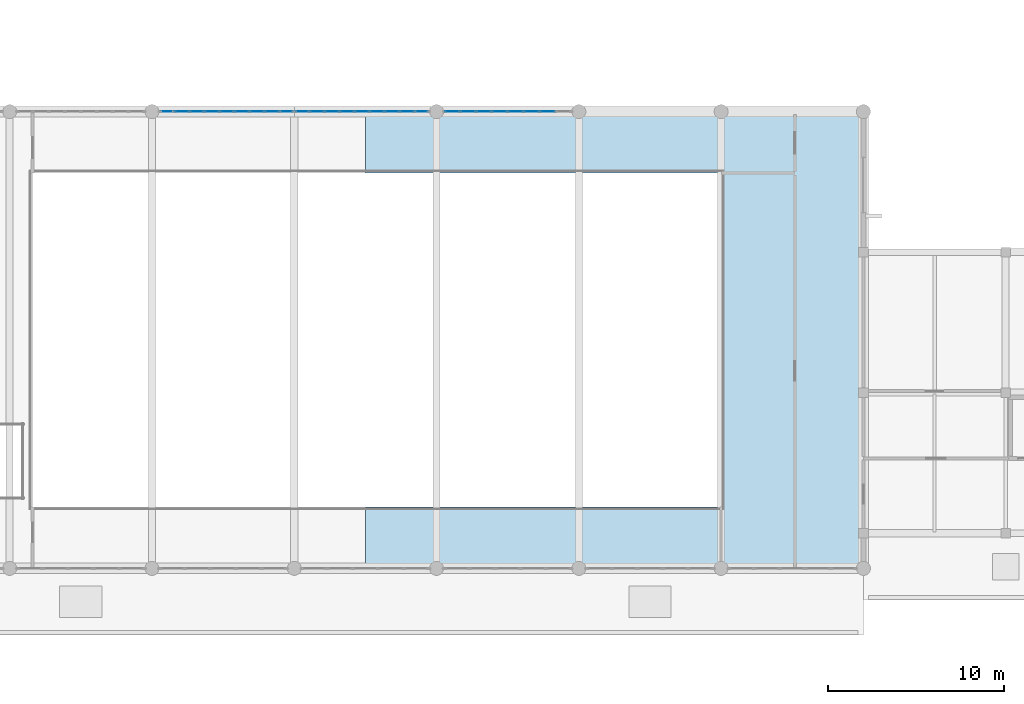
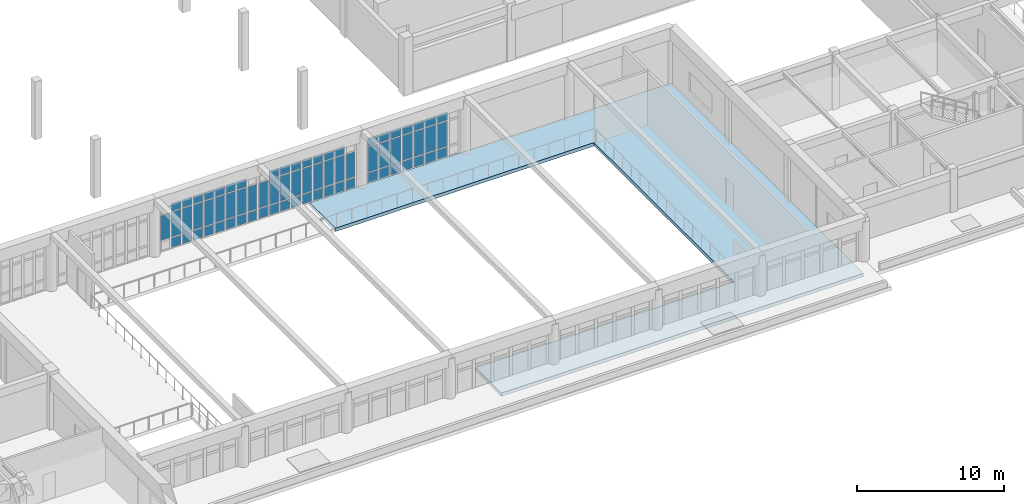
# One storey, part 32 of 61: 70 plates, 1 slab, 3 elements without a shape of their own.
"""IFC4 building model written with IfcOpenShell, lengths in metres."""

from ifc_helpers import new_model, si_unit, direction, frame, origin, origin_2d, place, context, subcontext, project, spatial, polyline, rectangle, outline, extrude, material, layer, layer_set, type_object, element, aggregate, save


model = new_model("IFC4")

# Units and contexts
model_context = context("Model", 3, precision=1e-05, world=origin(), true_north=direction((0.0, 1.0)))
body_context = subcontext(model_context, "Body", "Model", "MODEL_VIEW")
ifc_project = project(units=[si_unit("LENGTHUNIT", "METRE"), si_unit("AREAUNIT", "SQUARE_METRE"), si_unit("VOLUMEUNIT", "CUBIC_METRE"), si_unit("PLANEANGLEUNIT", "RADIAN"), si_unit("MASSUNIT", "GRAM", prefix="KILO")], contexts=[model_context])

# Site, building, storey
site_placement = place(None, origin())
site = spatial("IfcSite", under=ifc_project, at=site_placement, CompositionType="ELEMENT")
building_placement = place(site_placement, origin())
building = spatial("IfcBuilding", under=site, at=building_placement, Name="Tarnveldt Square Police Headquarters", CompositionType="ELEMENT")
storey_placement = place(building_placement, frame((0.0, 0.0, 5.39990234375)))
storey = spatial("IfcBuildingStorey", under=building, at=storey_placement, Name="L01", CompositionType="ELEMENT", Elevation=5.39990234375)

# Curtain wall, plates
ifc_material_1 = material(Name="Triple-glazed low-e laminated vision glass", Category="glass")
curtain_wall_type_1 = type_object("IfcCurtainWallType", Name="CW-CT-768x379", PredefinedType="USERDEFINED", material=ifc_material_1)
curtain_wall_1_placement = place(storey_placement, origin())
curtain_wall_1 = element("IfcCurtainWall", 1, at=curtain_wall_1_placement, inside=storey, type_object=curtain_wall_type_1, Name="L01 Curtain Wall CW-L01-020", ObjectType="GLAZED CURTAIN WALL", PredefinedType="USERDEFINED")
ifc_layer_1 = layer(ifc_material_1, 0.028076171875)
ifc_layer_set_1 = layer_set([ifc_layer_1], Name="Triple-glazed low-e laminated vision glass")
plate_type = type_object("IfcPlateType", Name="CWP-VIS-28", PredefinedType="CURTAIN_PANEL", material=ifc_layer_set_1)
plate_1_placement = place(storey_placement, frame((81.860595703125, 48.0, 0.937744140625), z_axis=(0.0, 0.0, 1.0), x_axis=(1.0, 0.0, 0.0)))
plate_1 = element("IfcPlate", 2, at=plate_1_placement, type_object=plate_type, Name="CW-CT10 panel 1.2", PredefinedType="CURTAIN_PANEL", context=body_context, shape_type="SweptSolid", body=[
    extrude(rectangle(XDim=0.741455078125, YDim=0.028076171875, at=origin_2d()), origin(), (0.0, 0.0, 1.0), 2.06689453125),
])
plate_2_placement = place(storey_placement, frame((82.69580078125, 48.0, 0.074951171875), z_axis=(0.0, 0.0, 1.0), x_axis=(1.0, 0.0, 0.0)))
plate_2 = element("IfcPlate", 3, at=plate_2_placement, type_object=plate_type, Name="CW-CT10 panel 2.1", PredefinedType="CURTAIN_PANEL", context=body_context, shape_type="SweptSolid", body=[
    extrude(rectangle(XDim=0.77880859375, YDim=0.028076171875, at=origin_2d()), origin(), (0.0, 0.0, 1.0), 0.78759765625),
])
plate_3_placement = place(storey_placement, frame((82.69580078125, 48.0, 0.937744140625), z_axis=(0.0, 0.0, 1.0), x_axis=(1.0, 0.0, 0.0)))
plate_3 = element("IfcPlate", 4, at=plate_3_placement, type_object=plate_type, Name="CW-CT10 panel 2.2", PredefinedType="CURTAIN_PANEL", context=body_context, shape_type="SweptSolid", body=[
    extrude(rectangle(XDim=0.77880859375, YDim=0.028076171875, at=origin_2d()), origin(), (0.0, 0.0, 1.0), 2.06689453125),
])
plate_4_placement = place(storey_placement, frame((82.69580078125, 48.0, 3.07958984375), z_axis=(0.0, 0.0, 1.0), x_axis=(1.0, 0.0, 0.0)))
plate_4 = element("IfcPlate", 5, at=plate_4_placement, type_object=plate_type, Name="CW-CT10 panel 2.3", PredefinedType="CURTAIN_PANEL", context=body_context, shape_type="SweptSolid", body=[
    extrude(rectangle(XDim=0.77880859375, YDim=0.028076171875, at=origin_2d()), origin(), (0.0, 0.0, 1.0), 0.637451171875),
])
plate_5_placement = place(storey_placement, frame((83.5498046875, 48.0, 0.074951171875), z_axis=(0.0, 0.0, 1.0), x_axis=(1.0, 0.0, 0.0)))
plate_5 = element("IfcPlate", 6, at=plate_5_placement, type_object=plate_type, Name="CW-CT10 panel 3.1", PredefinedType="CURTAIN_PANEL", context=body_context, shape_type="SweptSolid", body=[
    extrude(rectangle(XDim=0.77880859375, YDim=0.028076171875, at=origin_2d()), origin(), (0.0, 0.0, 1.0), 0.78759765625),
])
plate_6_placement = place(storey_placement, frame((83.5498046875, 48.0, 0.937744140625), z_axis=(0.0, 0.0, 1.0), x_axis=(1.0, 0.0, 0.0)))
plate_6 = element("IfcPlate", 7, at=plate_6_placement, type_object=plate_type, Name="CW-CT10 panel 3.2", PredefinedType="CURTAIN_PANEL", context=body_context, shape_type="SweptSolid", body=[
    extrude(rectangle(XDim=0.77880859375, YDim=0.028076171875, at=origin_2d()), origin(), (0.0, 0.0, 1.0), 2.06689453125),
])
plate_7_placement = place(storey_placement, frame((83.5498046875, 48.0, 3.07958984375), z_axis=(0.0, 0.0, 1.0), x_axis=(1.0, 0.0, 0.0)))
plate_7 = element("IfcPlate", 8, at=plate_7_placement, type_object=plate_type, Name="CW-CT10 panel 3.3", PredefinedType="CURTAIN_PANEL", context=body_context, shape_type="SweptSolid", body=[
    extrude(rectangle(XDim=0.77880859375, YDim=0.028076171875, at=origin_2d()), origin(), (0.0, 0.0, 1.0), 0.637451171875),
])
plate_8_placement = place(storey_placement, frame((84.403564453125, 48.0, 0.074951171875), z_axis=(0.0, 0.0, 1.0), x_axis=(1.0, 0.0, 0.0)))
plate_8 = element("IfcPlate", 9, at=plate_8_placement, type_object=plate_type, Name="CW-CT10 panel 4.1", PredefinedType="CURTAIN_PANEL", context=body_context, shape_type="SweptSolid", body=[
    extrude(rectangle(XDim=0.77880859375, YDim=0.028076171875, at=origin_2d()), origin(), (0.0, 0.0, 1.0), 0.78759765625),
])
plate_9_placement = place(storey_placement, frame((84.403564453125, 48.0, 0.937744140625), z_axis=(0.0, 0.0, 1.0), x_axis=(1.0, 0.0, 0.0)))
plate_9 = element("IfcPlate", 10, at=plate_9_placement, type_object=plate_type, Name="CW-CT10 panel 4.2", PredefinedType="CURTAIN_PANEL", context=body_context, shape_type="SweptSolid", body=[
    extrude(rectangle(XDim=0.77880859375, YDim=0.028076171875, at=origin_2d()), origin(), (0.0, 0.0, 1.0), 2.06689453125),
])
plate_10_placement = place(storey_placement, frame((84.403564453125, 48.0, 3.07958984375), z_axis=(0.0, 0.0, 1.0), x_axis=(1.0, 0.0, 0.0)))
plate_10 = element("IfcPlate", 11, at=plate_10_placement, type_object=plate_type, Name="CW-CT10 panel 4.3", PredefinedType="CURTAIN_PANEL", context=body_context, shape_type="SweptSolid", body=[
    extrude(rectangle(XDim=0.77880859375, YDim=0.028076171875, at=origin_2d()), origin(), (0.0, 0.0, 1.0), 0.637451171875),
])
plate_11_placement = place(storey_placement, frame((85.257568359375, 48.0, 0.074951171875), z_axis=(0.0, 0.0, 1.0), x_axis=(1.0, 0.0, 0.0)))
plate_11 = element("IfcPlate", 12, at=plate_11_placement, type_object=plate_type, Name="CW-CT10 panel 5.1", PredefinedType="CURTAIN_PANEL", context=body_context, shape_type="SweptSolid", body=[
    extrude(rectangle(XDim=0.77880859375, YDim=0.028076171875, at=origin_2d()), origin(), (0.0, 0.0, 1.0), 0.78759765625),
])
plate_12_placement = place(storey_placement, frame((85.257568359375, 48.0, 0.937744140625), z_axis=(0.0, 0.0, 1.0), x_axis=(1.0, 0.0, 0.0)))
plate_12 = element("IfcPlate", 13, at=plate_12_placement, type_object=plate_type, Name="CW-CT10 panel 5.2", PredefinedType="CURTAIN_PANEL", context=body_context, shape_type="SweptSolid", body=[
    extrude(rectangle(XDim=0.77880859375, YDim=0.028076171875, at=origin_2d()), origin(), (0.0, 0.0, 1.0), 2.06689453125),
])
plate_13_placement = place(storey_placement, frame((85.257568359375, 48.0, 3.07958984375), z_axis=(0.0, 0.0, 1.0), x_axis=(1.0, 0.0, 0.0)))
plate_13 = element("IfcPlate", 14, at=plate_13_placement, type_object=plate_type, Name="CW-CT10 panel 5.3", PredefinedType="CURTAIN_PANEL", context=body_context, shape_type="SweptSolid", body=[
    extrude(rectangle(XDim=0.77880859375, YDim=0.028076171875, at=origin_2d()), origin(), (0.0, 0.0, 1.0), 0.637451171875),
])
plate_14_placement = place(storey_placement, frame((86.111328125, 48.0, 0.074951171875), z_axis=(0.0, 0.0, 1.0), x_axis=(1.0, 0.0, 0.0)))
plate_14 = element("IfcPlate", 15, at=plate_14_placement, type_object=plate_type, Name="CW-CT10 panel 6.1", PredefinedType="CURTAIN_PANEL", context=body_context, shape_type="SweptSolid", body=[
    extrude(rectangle(XDim=0.77880859375, YDim=0.028076171875, at=origin_2d()), origin(), (0.0, 0.0, 1.0), 0.78759765625),
])
plate_15_placement = place(storey_placement, frame((86.111328125, 48.0, 0.937744140625), z_axis=(0.0, 0.0, 1.0), x_axis=(1.0, 0.0, 0.0)))
plate_15 = element("IfcPlate", 16, at=plate_15_placement, type_object=plate_type, Name="CW-CT10 panel 6.2", PredefinedType="CURTAIN_PANEL", context=body_context, shape_type="SweptSolid", body=[
    extrude(rectangle(XDim=0.77880859375, YDim=0.028076171875, at=origin_2d()), origin(), (0.0, 0.0, 1.0), 2.06689453125),
])
plate_16_placement = place(storey_placement, frame((86.111328125, 48.0, 3.07958984375), z_axis=(0.0, 0.0, 1.0), x_axis=(1.0, 0.0, 0.0)))
plate_16 = element("IfcPlate", 17, at=plate_16_placement, type_object=plate_type, Name="CW-CT10 panel 6.3", PredefinedType="CURTAIN_PANEL", context=body_context, shape_type="SweptSolid", body=[
    extrude(rectangle(XDim=0.77880859375, YDim=0.028076171875, at=origin_2d()), origin(), (0.0, 0.0, 1.0), 0.637451171875),
])
plate_17_placement = place(storey_placement, frame((86.96533203125, 48.0, 0.074951171875), z_axis=(0.0, 0.0, 1.0), x_axis=(1.0, 0.0, 0.0)))
plate_17 = element("IfcPlate", 18, at=plate_17_placement, type_object=plate_type, Name="CW-CT10 panel 7.1", PredefinedType="CURTAIN_PANEL", context=body_context, shape_type="SweptSolid", body=[
    extrude(rectangle(XDim=0.77880859375, YDim=0.028076171875, at=origin_2d()), origin(), (0.0, 0.0, 1.0), 0.78759765625),
])
plate_18_placement = place(storey_placement, frame((86.96533203125, 48.0, 0.937744140625), z_axis=(0.0, 0.0, 1.0), x_axis=(1.0, 0.0, 0.0)))
plate_18 = element("IfcPlate", 19, at=plate_18_placement, type_object=plate_type, Name="CW-CT10 panel 7.2", PredefinedType="CURTAIN_PANEL", context=body_context, shape_type="SweptSolid", body=[
    extrude(rectangle(XDim=0.77880859375, YDim=0.028076171875, at=origin_2d()), origin(), (0.0, 0.0, 1.0), 2.06689453125),
])
plate_19_placement = place(storey_placement, frame((86.96533203125, 48.0, 3.07958984375), z_axis=(0.0, 0.0, 1.0), x_axis=(1.0, 0.0, 0.0)))
plate_19 = element("IfcPlate", 20, at=plate_19_placement, type_object=plate_type, Name="CW-CT10 panel 7.3", PredefinedType="CURTAIN_PANEL", context=body_context, shape_type="SweptSolid", body=[
    extrude(rectangle(XDim=0.77880859375, YDim=0.028076171875, at=origin_2d()), origin(), (0.0, 0.0, 1.0), 0.637451171875),
])
plate_20_placement = place(storey_placement, frame((87.819091796875, 48.0, 0.074951171875), z_axis=(0.0, 0.0, 1.0), x_axis=(1.0, 0.0, 0.0)))
plate_20 = element("IfcPlate", 21, at=plate_20_placement, type_object=plate_type, Name="CW-CT10 panel 8.1", PredefinedType="CURTAIN_PANEL", context=body_context, shape_type="SweptSolid", body=[
    extrude(rectangle(XDim=0.77880859375, YDim=0.028076171875, at=origin_2d()), origin(), (0.0, 0.0, 1.0), 0.78759765625),
])
plate_21_placement = place(storey_placement, frame((87.819091796875, 48.0, 0.937744140625), z_axis=(0.0, 0.0, 1.0), x_axis=(1.0, 0.0, 0.0)))
plate_21 = element("IfcPlate", 22, at=plate_21_placement, type_object=plate_type, Name="CW-CT10 panel 8.2", PredefinedType="CURTAIN_PANEL", context=body_context, shape_type="SweptSolid", body=[
    extrude(rectangle(XDim=0.77880859375, YDim=0.028076171875, at=origin_2d()), origin(), (0.0, 0.0, 1.0), 2.06689453125),
])
plate_22_placement = place(storey_placement, frame((87.819091796875, 48.0, 3.07958984375), z_axis=(0.0, 0.0, 1.0), x_axis=(1.0, 0.0, 0.0)))
plate_22 = element("IfcPlate", 23, at=plate_22_placement, type_object=plate_type, Name="CW-CT10 panel 8.3", PredefinedType="CURTAIN_PANEL", context=body_context, shape_type="SweptSolid", body=[
    extrude(rectangle(XDim=0.77880859375, YDim=0.028076171875, at=origin_2d()), origin(), (0.0, 0.0, 1.0), 0.637451171875),
])
plate_23_placement = place(storey_placement, frame((88.654296875, 48.0, 0.074951171875), z_axis=(0.0, 0.0, 1.0), x_axis=(1.0, 0.0, 0.0)))
plate_23 = element("IfcPlate", 24, at=plate_23_placement, type_object=plate_type, Name="CW-CT10 panel 9.1", PredefinedType="CURTAIN_PANEL", context=body_context, shape_type="SweptSolid", body=[
    extrude(rectangle(XDim=0.741455078125, YDim=0.028076171875, at=origin_2d()), origin(), (0.0, 0.0, 1.0), 0.78759765625),
])
plate_24_placement = place(storey_placement, frame((88.654296875, 48.0, 0.937744140625), z_axis=(0.0, 0.0, 1.0), x_axis=(1.0, 0.0, 0.0)))
plate_24 = element("IfcPlate", 25, at=plate_24_placement, type_object=plate_type, Name="CW-CT10 panel 9.2", PredefinedType="CURTAIN_PANEL", context=body_context, shape_type="SweptSolid", body=[
    extrude(rectangle(XDim=0.741455078125, YDim=0.028076171875, at=origin_2d()), origin(), (0.0, 0.0, 1.0), 2.06689453125),
])
aggregate(curtain_wall_1, [plate_1, plate_2, plate_3, plate_4, plate_5, plate_6, plate_7, plate_8, plate_9, plate_10, plate_11, plate_12, plate_13, plate_14, plate_15, plate_16, plate_17, plate_18, plate_19, plate_20, plate_21, plate_22, plate_23, plate_24])

curtain_wall_type_2 = type_object("IfcCurtainWallType", Name="CW-CT-769x379", PredefinedType="USERDEFINED", material=ifc_material_1)
curtain_wall_2_placement = place(storey_placement, origin())
curtain_wall_2 = element("IfcCurtainWall", 26, at=curtain_wall_2_placement, inside=storey, type_object=curtain_wall_type_2, Name="L01 Curtain Wall CW-L01-021", ObjectType="GLAZED CURTAIN WALL", PredefinedType="USERDEFINED")
plate_25_placement = place(storey_placement, frame((89.545654296875, 48.0, 0.074951171875), z_axis=(0.0, 0.0, 1.0), x_axis=(1.0, 0.0, 0.0)))
plate_25 = element("IfcPlate", 27, at=plate_25_placement, type_object=plate_type, Name="CW-CT11 panel 1.1", PredefinedType="CURTAIN_PANEL", context=body_context, shape_type="SweptSolid", body=[
    extrude(rectangle(XDim=0.741455078125, YDim=0.028076171875, at=origin_2d()), origin(), (0.0, 0.0, 1.0), 0.78759765625),
])
plate_26_placement = place(storey_placement, frame((89.545654296875, 48.0, 0.937744140625), z_axis=(0.0, 0.0, 1.0), x_axis=(1.0, 0.0, 0.0)))
plate_26 = element("IfcPlate", 28, at=plate_26_placement, type_object=plate_type, Name="CW-CT11 panel 1.2", PredefinedType="CURTAIN_PANEL", context=body_context, shape_type="SweptSolid", body=[
    extrude(rectangle(XDim=0.741455078125, YDim=0.028076171875, at=origin_2d()), origin(), (0.0, 0.0, 1.0), 2.06689453125),
])
plate_27_placement = place(storey_placement, frame((90.380859375, 48.0, 0.074951171875), z_axis=(0.0, 0.0, 1.0), x_axis=(1.0, 0.0, 0.0)))
plate_27 = element("IfcPlate", 29, at=plate_27_placement, type_object=plate_type, Name="CW-CT11 panel 2.1", PredefinedType="CURTAIN_PANEL", context=body_context, shape_type="SweptSolid", body=[
    extrude(rectangle(XDim=0.77880859375, YDim=0.028076171875, at=origin_2d()), origin(), (0.0, 0.0, 1.0), 0.78759765625),
])
plate_28_placement = place(storey_placement, frame((90.380859375, 48.0, 0.937744140625), z_axis=(0.0, 0.0, 1.0), x_axis=(1.0, 0.0, 0.0)))
plate_28 = element("IfcPlate", 30, at=plate_28_placement, type_object=plate_type, Name="CW-CT11 panel 2.2", PredefinedType="CURTAIN_PANEL", context=body_context, shape_type="SweptSolid", body=[
    extrude(rectangle(XDim=0.77880859375, YDim=0.028076171875, at=origin_2d()), origin(), (0.0, 0.0, 1.0), 2.06689453125),
])
plate_29_placement = place(storey_placement, frame((90.380859375, 48.0, 3.07958984375), z_axis=(0.0, 0.0, 1.0), x_axis=(1.0, 0.0, 0.0)))
plate_29 = element("IfcPlate", 31, at=plate_29_placement, type_object=plate_type, Name="CW-CT11 panel 2.3", PredefinedType="CURTAIN_PANEL", context=body_context, shape_type="SweptSolid", body=[
    extrude(rectangle(XDim=0.77880859375, YDim=0.028076171875, at=origin_2d()), origin(), (0.0, 0.0, 1.0), 0.637451171875),
])
plate_30_placement = place(storey_placement, frame((91.234619140625, 48.0, 0.074951171875), z_axis=(0.0, 0.0, 1.0), x_axis=(1.0, 0.0, 0.0)))
plate_30 = element("IfcPlate", 32, at=plate_30_placement, type_object=plate_type, Name="CW-CT11 panel 3.1", PredefinedType="CURTAIN_PANEL", context=body_context, shape_type="SweptSolid", body=[
    extrude(rectangle(XDim=0.77880859375, YDim=0.028076171875, at=origin_2d()), origin(), (0.0, 0.0, 1.0), 0.78759765625),
])
plate_31_placement = place(storey_placement, frame((91.234619140625, 48.0, 0.937744140625), z_axis=(0.0, 0.0, 1.0), x_axis=(1.0, 0.0, 0.0)))
plate_31 = element("IfcPlate", 33, at=plate_31_placement, type_object=plate_type, Name="CW-CT11 panel 3.2", PredefinedType="CURTAIN_PANEL", context=body_context, shape_type="SweptSolid", body=[
    extrude(rectangle(XDim=0.77880859375, YDim=0.028076171875, at=origin_2d()), origin(), (0.0, 0.0, 1.0), 2.06689453125),
])
plate_32_placement = place(storey_placement, frame((91.234619140625, 48.0, 3.07958984375), z_axis=(0.0, 0.0, 1.0), x_axis=(1.0, 0.0, 0.0)))
plate_32 = element("IfcPlate", 34, at=plate_32_placement, type_object=plate_type, Name="CW-CT11 panel 3.3", PredefinedType="CURTAIN_PANEL", context=body_context, shape_type="SweptSolid", body=[
    extrude(rectangle(XDim=0.77880859375, YDim=0.028076171875, at=origin_2d()), origin(), (0.0, 0.0, 1.0), 0.637451171875),
])
plate_33_placement = place(storey_placement, frame((92.088623046875, 48.0, 0.074951171875), z_axis=(0.0, 0.0, 1.0), x_axis=(1.0, 0.0, 0.0)))
plate_33 = element("IfcPlate", 35, at=plate_33_placement, type_object=plate_type, Name="CW-CT11 panel 4.1", PredefinedType="CURTAIN_PANEL", context=body_context, shape_type="SweptSolid", body=[
    extrude(rectangle(XDim=0.77880859375, YDim=0.028076171875, at=origin_2d()), origin(), (0.0, 0.0, 1.0), 0.78759765625),
])
plate_34_placement = place(storey_placement, frame((92.088623046875, 48.0, 0.937744140625), z_axis=(0.0, 0.0, 1.0), x_axis=(1.0, 0.0, 0.0)))
plate_34 = element("IfcPlate", 36, at=plate_34_placement, type_object=plate_type, Name="CW-CT11 panel 4.2", PredefinedType="CURTAIN_PANEL", context=body_context, shape_type="SweptSolid", body=[
    extrude(rectangle(XDim=0.77880859375, YDim=0.028076171875, at=origin_2d()), origin(), (0.0, 0.0, 1.0), 2.06689453125),
])
plate_35_placement = place(storey_placement, frame((92.088623046875, 48.0, 3.07958984375), z_axis=(0.0, 0.0, 1.0), x_axis=(1.0, 0.0, 0.0)))
plate_35 = element("IfcPlate", 37, at=plate_35_placement, type_object=plate_type, Name="CW-CT11 panel 4.3", PredefinedType="CURTAIN_PANEL", context=body_context, shape_type="SweptSolid", body=[
    extrude(rectangle(XDim=0.77880859375, YDim=0.028076171875, at=origin_2d()), origin(), (0.0, 0.0, 1.0), 0.637451171875),
])
plate_36_placement = place(storey_placement, frame((92.9423828125, 48.0, 0.074951171875), z_axis=(0.0, 0.0, 1.0), x_axis=(1.0, 0.0, 0.0)))
plate_36 = element("IfcPlate", 38, at=plate_36_placement, type_object=plate_type, Name="CW-CT11 panel 5.1", PredefinedType="CURTAIN_PANEL", context=body_context, shape_type="SweptSolid", body=[
    extrude(rectangle(XDim=0.77880859375, YDim=0.028076171875, at=origin_2d()), origin(), (0.0, 0.0, 1.0), 0.78759765625),
])
plate_37_placement = place(storey_placement, frame((92.9423828125, 48.0, 0.937744140625), z_axis=(0.0, 0.0, 1.0), x_axis=(1.0, 0.0, 0.0)))
plate_37 = element("IfcPlate", 39, at=plate_37_placement, type_object=plate_type, Name="CW-CT11 panel 5.2", PredefinedType="CURTAIN_PANEL", context=body_context, shape_type="SweptSolid", body=[
    extrude(rectangle(XDim=0.77880859375, YDim=0.028076171875, at=origin_2d()), origin(), (0.0, 0.0, 1.0), 2.06689453125),
])
plate_38_placement = place(storey_placement, frame((92.9423828125, 48.0, 3.07958984375), z_axis=(0.0, 0.0, 1.0), x_axis=(1.0, 0.0, 0.0)))
plate_38 = element("IfcPlate", 40, at=plate_38_placement, type_object=plate_type, Name="CW-CT11 panel 5.3", PredefinedType="CURTAIN_PANEL", context=body_context, shape_type="SweptSolid", body=[
    extrude(rectangle(XDim=0.77880859375, YDim=0.028076171875, at=origin_2d()), origin(), (0.0, 0.0, 1.0), 0.637451171875),
])
plate_39_placement = place(storey_placement, frame((93.79638671875, 48.0, 0.074951171875), z_axis=(0.0, 0.0, 1.0), x_axis=(1.0, 0.0, 0.0)))
plate_39 = element("IfcPlate", 41, at=plate_39_placement, type_object=plate_type, Name="CW-CT11 panel 6.1", PredefinedType="CURTAIN_PANEL", context=body_context, shape_type="SweptSolid", body=[
    extrude(rectangle(XDim=0.77880859375, YDim=0.028076171875, at=origin_2d()), origin(), (0.0, 0.0, 1.0), 0.78759765625),
])
plate_40_placement = place(storey_placement, frame((93.79638671875, 48.0, 0.937744140625), z_axis=(0.0, 0.0, 1.0), x_axis=(1.0, 0.0, 0.0)))
plate_40 = element("IfcPlate", 42, at=plate_40_placement, type_object=plate_type, Name="CW-CT11 panel 6.2", PredefinedType="CURTAIN_PANEL", context=body_context, shape_type="SweptSolid", body=[
    extrude(rectangle(XDim=0.77880859375, YDim=0.028076171875, at=origin_2d()), origin(), (0.0, 0.0, 1.0), 2.06689453125),
])
plate_41_placement = place(storey_placement, frame((93.79638671875, 48.0, 3.07958984375), z_axis=(0.0, 0.0, 1.0), x_axis=(1.0, 0.0, 0.0)))
plate_41 = element("IfcPlate", 43, at=plate_41_placement, type_object=plate_type, Name="CW-CT11 panel 6.3", PredefinedType="CURTAIN_PANEL", context=body_context, shape_type="SweptSolid", body=[
    extrude(rectangle(XDim=0.77880859375, YDim=0.028076171875, at=origin_2d()), origin(), (0.0, 0.0, 1.0), 0.637451171875),
])
plate_42_placement = place(storey_placement, frame((94.650390625, 48.0, 0.074951171875), z_axis=(0.0, 0.0, 1.0), x_axis=(1.0, 0.0, 0.0)))
plate_42 = element("IfcPlate", 44, at=plate_42_placement, type_object=plate_type, Name="CW-CT11 panel 7.1", PredefinedType="CURTAIN_PANEL", context=body_context, shape_type="SweptSolid", body=[
    extrude(rectangle(XDim=0.77880859375, YDim=0.028076171875, at=origin_2d()), origin(), (0.0, 0.0, 1.0), 0.78759765625),
])
plate_43_placement = place(storey_placement, frame((94.650390625, 48.0, 0.937744140625), z_axis=(0.0, 0.0, 1.0), x_axis=(1.0, 0.0, 0.0)))
plate_43 = element("IfcPlate", 45, at=plate_43_placement, type_object=plate_type, Name="CW-CT11 panel 7.2", PredefinedType="CURTAIN_PANEL", context=body_context, shape_type="SweptSolid", body=[
    extrude(rectangle(XDim=0.77880859375, YDim=0.028076171875, at=origin_2d()), origin(), (0.0, 0.0, 1.0), 2.06689453125),
])
plate_44_placement = place(storey_placement, frame((94.650390625, 48.0, 3.07958984375), z_axis=(0.0, 0.0, 1.0), x_axis=(1.0, 0.0, 0.0)))
plate_44 = element("IfcPlate", 46, at=plate_44_placement, type_object=plate_type, Name="CW-CT11 panel 7.3", PredefinedType="CURTAIN_PANEL", context=body_context, shape_type="SweptSolid", body=[
    extrude(rectangle(XDim=0.77880859375, YDim=0.028076171875, at=origin_2d()), origin(), (0.0, 0.0, 1.0), 0.637451171875),
])
plate_45_placement = place(storey_placement, frame((95.504150390625, 48.0, 0.074951171875), z_axis=(0.0, 0.0, 1.0), x_axis=(1.0, 0.0, 0.0)))
plate_45 = element("IfcPlate", 47, at=plate_45_placement, type_object=plate_type, Name="CW-CT11 panel 8.1", PredefinedType="CURTAIN_PANEL", context=body_context, shape_type="SweptSolid", body=[
    extrude(rectangle(XDim=0.77880859375, YDim=0.028076171875, at=origin_2d()), origin(), (0.0, 0.0, 1.0), 0.78759765625),
])
plate_46_placement = place(storey_placement, frame((95.504150390625, 48.0, 0.937744140625), z_axis=(0.0, 0.0, 1.0), x_axis=(1.0, 0.0, 0.0)))
plate_46 = element("IfcPlate", 48, at=plate_46_placement, type_object=plate_type, Name="CW-CT11 panel 8.2", PredefinedType="CURTAIN_PANEL", context=body_context, shape_type="SweptSolid", body=[
    extrude(rectangle(XDim=0.77880859375, YDim=0.028076171875, at=origin_2d()), origin(), (0.0, 0.0, 1.0), 2.06689453125),
])
plate_47_placement = place(storey_placement, frame((95.504150390625, 48.0, 3.07958984375), z_axis=(0.0, 0.0, 1.0), x_axis=(1.0, 0.0, 0.0)))
plate_47 = element("IfcPlate", 49, at=plate_47_placement, type_object=plate_type, Name="CW-CT11 panel 8.3", PredefinedType="CURTAIN_PANEL", context=body_context, shape_type="SweptSolid", body=[
    extrude(rectangle(XDim=0.77880859375, YDim=0.028076171875, at=origin_2d()), origin(), (0.0, 0.0, 1.0), 0.637451171875),
])
plate_48_placement = place(storey_placement, frame((96.33935546875, 48.0, 0.074951171875), z_axis=(0.0, 0.0, 1.0), x_axis=(1.0, 0.0, 0.0)))
plate_48 = element("IfcPlate", 50, at=plate_48_placement, type_object=plate_type, Name="CW-CT11 panel 9.1", PredefinedType="CURTAIN_PANEL", context=body_context, shape_type="SweptSolid", body=[
    extrude(rectangle(XDim=0.741455078125, YDim=0.028076171875, at=origin_2d()), origin(), (0.0, 0.0, 1.0), 0.78759765625),
])
plate_49_placement = place(storey_placement, frame((96.33935546875, 48.0, 0.937744140625), z_axis=(0.0, 0.0, 1.0), x_axis=(1.0, 0.0, 0.0)))
plate_49 = element("IfcPlate", 51, at=plate_49_placement, type_object=plate_type, Name="CW-CT11 panel 9.2", PredefinedType="CURTAIN_PANEL", context=body_context, shape_type="SweptSolid", body=[
    extrude(rectangle(XDim=0.741455078125, YDim=0.028076171875, at=origin_2d()), origin(), (0.0, 0.0, 1.0), 2.06689453125),
])
aggregate(curtain_wall_2, [plate_25, plate_26, plate_27, plate_28, plate_29, plate_30, plate_31, plate_32, plate_33, plate_34, plate_35, plate_36, plate_37, plate_38, plate_39, plate_40, plate_41, plate_42, plate_43, plate_44, plate_45, plate_46, plate_47, plate_48, plate_49])

curtain_wall_type_3 = type_object("IfcCurtainWallType", Name="CW-CT-727x379", PredefinedType="USERDEFINED", material=ifc_material_1)
curtain_wall_3_placement = place(storey_placement, origin())
curtain_wall_3 = element("IfcCurtainWall", 52, at=curtain_wall_3_placement, inside=storey, type_object=curtain_wall_type_3, Name="L01 Curtain Wall CW-L01-022", ObjectType="GLAZED CURTAIN WALL", PredefinedType="USERDEFINED")
plate_50_placement = place(storey_placement, frame((98.088134765625, 48.0, 0.074951171875), z_axis=(0.0, 0.0, 1.0), x_axis=(1.0, 0.0, 0.0)))
plate_50 = element("IfcPlate", 53, at=plate_50_placement, type_object=plate_type, Name="CW-CT09 panel 1.1", PredefinedType="CURTAIN_PANEL", context=body_context, shape_type="SweptSolid", body=[
    extrude(rectangle(XDim=0.796142578125, YDim=0.028076171875, at=origin_2d()), origin(), (0.0, 0.0, 1.0), 0.78759765625),
])
plate_51_placement = place(storey_placement, frame((98.088134765625, 48.0, 0.937744140625), z_axis=(0.0, 0.0, 1.0), x_axis=(1.0, 0.0, 0.0)))
plate_51 = element("IfcPlate", 54, at=plate_51_placement, type_object=plate_type, Name="CW-CT09 panel 1.2", PredefinedType="CURTAIN_PANEL", context=body_context, shape_type="SweptSolid", body=[
    extrude(rectangle(XDim=0.796142578125, YDim=0.028076171875, at=origin_2d()), origin(), (0.0, 0.0, 1.0), 2.06689453125),
])
plate_52_placement = place(storey_placement, frame((98.088134765625, 48.0, 3.07958984375), z_axis=(0.0, 0.0, 1.0), x_axis=(1.0, 0.0, 0.0)))
plate_52 = element("IfcPlate", 55, at=plate_52_placement, type_object=plate_type, Name="CW-CT09 panel 1.3", PredefinedType="CURTAIN_PANEL", context=body_context, shape_type="SweptSolid", body=[
    extrude(rectangle(XDim=0.796142578125, YDim=0.028076171875, at=origin_2d()), origin(), (0.0, 0.0, 1.0), 0.637451171875),
])
plate_53_placement = place(storey_placement, frame((98.97802734375, 48.0, 0.074951171875), z_axis=(0.0, 0.0, 1.0), x_axis=(1.0, 0.0, 0.0)))
plate_53 = element("IfcPlate", 56, at=plate_53_placement, type_object=plate_type, Name="CW-CT09 panel 2.1", PredefinedType="CURTAIN_PANEL", context=body_context, shape_type="SweptSolid", body=[
    extrude(rectangle(XDim=0.833740234375, YDim=0.028076171875, at=origin_2d()), origin(), (0.0, 0.0, 1.0), 0.78759765625),
])
plate_54_placement = place(storey_placement, frame((98.97802734375, 48.0, 0.937744140625), z_axis=(0.0, 0.0, 1.0), x_axis=(1.0, 0.0, 0.0)))
plate_54 = element("IfcPlate", 57, at=plate_54_placement, type_object=plate_type, Name="CW-CT09 panel 2.2", PredefinedType="CURTAIN_PANEL", context=body_context, shape_type="SweptSolid", body=[
    extrude(rectangle(XDim=0.833740234375, YDim=0.028076171875, at=origin_2d()), origin(), (0.0, 0.0, 1.0), 2.06689453125),
])
plate_55_placement = place(storey_placement, frame((98.97802734375, 48.0, 3.07958984375), z_axis=(0.0, 0.0, 1.0), x_axis=(1.0, 0.0, 0.0)))
plate_55 = element("IfcPlate", 58, at=plate_55_placement, type_object=plate_type, Name="CW-CT09 panel 2.3", PredefinedType="CURTAIN_PANEL", context=body_context, shape_type="SweptSolid", body=[
    extrude(rectangle(XDim=0.833740234375, YDim=0.028076171875, at=origin_2d()), origin(), (0.0, 0.0, 1.0), 0.637451171875),
])
plate_56_placement = place(storey_placement, frame((99.886962890625, 48.0, 0.074951171875), z_axis=(0.0, 0.0, 1.0), x_axis=(1.0, 0.0, 0.0)))
plate_56 = element("IfcPlate", 59, at=plate_56_placement, type_object=plate_type, Name="CW-CT09 panel 3.1", PredefinedType="CURTAIN_PANEL", context=body_context, shape_type="SweptSolid", body=[
    extrude(rectangle(XDim=0.833740234375, YDim=0.028076171875, at=origin_2d()), origin(), (0.0, 0.0, 1.0), 0.78759765625),
])
plate_57_placement = place(storey_placement, frame((99.886962890625, 48.0, 0.937744140625), z_axis=(0.0, 0.0, 1.0), x_axis=(1.0, 0.0, 0.0)))
plate_57 = element("IfcPlate", 60, at=plate_57_placement, type_object=plate_type, Name="CW-CT09 panel 3.2", PredefinedType="CURTAIN_PANEL", context=body_context, shape_type="SweptSolid", body=[
    extrude(rectangle(XDim=0.833740234375, YDim=0.028076171875, at=origin_2d()), origin(), (0.0, 0.0, 1.0), 2.06689453125),
])
plate_58_placement = place(storey_placement, frame((99.886962890625, 48.0, 3.07958984375), z_axis=(0.0, 0.0, 1.0), x_axis=(1.0, 0.0, 0.0)))
plate_58 = element("IfcPlate", 61, at=plate_58_placement, type_object=plate_type, Name="CW-CT09 panel 3.3", PredefinedType="CURTAIN_PANEL", context=body_context, shape_type="SweptSolid", body=[
    extrude(rectangle(XDim=0.833740234375, YDim=0.028076171875, at=origin_2d()), origin(), (0.0, 0.0, 1.0), 0.637451171875),
])
plate_59_placement = place(storey_placement, frame((100.795654296875, 48.0, 0.074951171875), z_axis=(0.0, 0.0, 1.0), x_axis=(1.0, 0.0, 0.0)))
plate_59 = element("IfcPlate", 62, at=plate_59_placement, type_object=plate_type, Name="CW-CT09 panel 4.1", PredefinedType="CURTAIN_PANEL", context=body_context, shape_type="SweptSolid", body=[
    extrude(rectangle(XDim=0.833740234375, YDim=0.028076171875, at=origin_2d()), origin(), (0.0, 0.0, 1.0), 0.78759765625),
])
plate_60_placement = place(storey_placement, frame((100.795654296875, 48.0, 0.937744140625), z_axis=(0.0, 0.0, 1.0), x_axis=(1.0, 0.0, 0.0)))
plate_60 = element("IfcPlate", 63, at=plate_60_placement, type_object=plate_type, Name="CW-CT09 panel 4.2", PredefinedType="CURTAIN_PANEL", context=body_context, shape_type="SweptSolid", body=[
    extrude(rectangle(XDim=0.833740234375, YDim=0.028076171875, at=origin_2d()), origin(), (0.0, 0.0, 1.0), 2.06689453125),
])
plate_61_placement = place(storey_placement, frame((100.795654296875, 48.0, 3.07958984375), z_axis=(0.0, 0.0, 1.0), x_axis=(1.0, 0.0, 0.0)))
plate_61 = element("IfcPlate", 64, at=plate_61_placement, type_object=plate_type, Name="CW-CT09 panel 4.3", PredefinedType="CURTAIN_PANEL", context=body_context, shape_type="SweptSolid", body=[
    extrude(rectangle(XDim=0.833740234375, YDim=0.028076171875, at=origin_2d()), origin(), (0.0, 0.0, 1.0), 0.637451171875),
])
plate_62_placement = place(storey_placement, frame((101.704345703125, 48.0, 0.074951171875), z_axis=(0.0, 0.0, 1.0), x_axis=(1.0, 0.0, 0.0)))
plate_62 = element("IfcPlate", 65, at=plate_62_placement, type_object=plate_type, Name="CW-CT09 panel 5.1", PredefinedType="CURTAIN_PANEL", context=body_context, shape_type="SweptSolid", body=[
    extrude(rectangle(XDim=0.833740234375, YDim=0.028076171875, at=origin_2d()), origin(), (0.0, 0.0, 1.0), 0.78759765625),
])
plate_63_placement = place(storey_placement, frame((101.704345703125, 48.0, 0.937744140625), z_axis=(0.0, 0.0, 1.0), x_axis=(1.0, 0.0, 0.0)))
plate_63 = element("IfcPlate", 66, at=plate_63_placement, type_object=plate_type, Name="CW-CT09 panel 5.2", PredefinedType="CURTAIN_PANEL", context=body_context, shape_type="SweptSolid", body=[
    extrude(rectangle(XDim=0.833740234375, YDim=0.028076171875, at=origin_2d()), origin(), (0.0, 0.0, 1.0), 2.06689453125),
])
plate_64_placement = place(storey_placement, frame((101.704345703125, 48.0, 3.07958984375), z_axis=(0.0, 0.0, 1.0), x_axis=(1.0, 0.0, 0.0)))
plate_64 = element("IfcPlate", 67, at=plate_64_placement, type_object=plate_type, Name="CW-CT09 panel 5.3", PredefinedType="CURTAIN_PANEL", context=body_context, shape_type="SweptSolid", body=[
    extrude(rectangle(XDim=0.833740234375, YDim=0.028076171875, at=origin_2d()), origin(), (0.0, 0.0, 1.0), 0.637451171875),
])
plate_65_placement = place(storey_placement, frame((102.613037109375, 48.0, 0.074951171875), z_axis=(0.0, 0.0, 1.0), x_axis=(1.0, 0.0, 0.0)))
plate_65 = element("IfcPlate", 68, at=plate_65_placement, type_object=plate_type, Name="CW-CT09 panel 6.1", PredefinedType="CURTAIN_PANEL", context=body_context, shape_type="SweptSolid", body=[
    extrude(rectangle(XDim=0.833740234375, YDim=0.028076171875, at=origin_2d()), origin(), (0.0, 0.0, 1.0), 0.78759765625),
])
plate_66_placement = place(storey_placement, frame((102.613037109375, 48.0, 0.937744140625), z_axis=(0.0, 0.0, 1.0), x_axis=(1.0, 0.0, 0.0)))
plate_66 = element("IfcPlate", 69, at=plate_66_placement, type_object=plate_type, Name="CW-CT09 panel 6.2", PredefinedType="CURTAIN_PANEL", context=body_context, shape_type="SweptSolid", body=[
    extrude(rectangle(XDim=0.833740234375, YDim=0.028076171875, at=origin_2d()), origin(), (0.0, 0.0, 1.0), 2.06689453125),
])
plate_67_placement = place(storey_placement, frame((102.613037109375, 48.0, 3.07958984375), z_axis=(0.0, 0.0, 1.0), x_axis=(1.0, 0.0, 0.0)))
plate_67 = element("IfcPlate", 70, at=plate_67_placement, type_object=plate_type, Name="CW-CT09 panel 6.3", PredefinedType="CURTAIN_PANEL", context=body_context, shape_type="SweptSolid", body=[
    extrude(rectangle(XDim=0.833740234375, YDim=0.028076171875, at=origin_2d()), origin(), (0.0, 0.0, 1.0), 0.637451171875),
])
plate_68_placement = place(storey_placement, frame((103.52197265625, 48.0, 0.074951171875), z_axis=(0.0, 0.0, 1.0), x_axis=(1.0, 0.0, 0.0)))
plate_68 = element("IfcPlate", 71, at=plate_68_placement, type_object=plate_type, Name="CW-CT09 panel 7.1", PredefinedType="CURTAIN_PANEL", context=body_context, shape_type="SweptSolid", body=[
    extrude(rectangle(XDim=0.833740234375, YDim=0.028076171875, at=origin_2d()), origin(), (0.0, 0.0, 1.0), 0.78759765625),
])
plate_69_placement = place(storey_placement, frame((103.52197265625, 48.0, 0.937744140625), z_axis=(0.0, 0.0, 1.0), x_axis=(1.0, 0.0, 0.0)))
plate_69 = element("IfcPlate", 72, at=plate_69_placement, type_object=plate_type, Name="CW-CT09 panel 7.2", PredefinedType="CURTAIN_PANEL", context=body_context, shape_type="SweptSolid", body=[
    extrude(rectangle(XDim=0.833740234375, YDim=0.028076171875, at=origin_2d()), origin(), (0.0, 0.0, 1.0), 2.06689453125),
])
plate_70_placement = place(storey_placement, frame((103.52197265625, 48.0, 3.07958984375), z_axis=(0.0, 0.0, 1.0), x_axis=(1.0, 0.0, 0.0)))
plate_70 = element("IfcPlate", 73, at=plate_70_placement, type_object=plate_type, Name="CW-CT09 panel 7.3", PredefinedType="CURTAIN_PANEL", context=body_context, shape_type="SweptSolid", body=[
    extrude(rectangle(XDim=0.833740234375, YDim=0.028076171875, at=origin_2d()), origin(), (0.0, 0.0, 1.0), 0.637451171875),
])
aggregate(curtain_wall_3, [plate_50, plate_51, plate_52, plate_53, plate_54, plate_55, plate_56, plate_57, plate_58, plate_59, plate_60, plate_61, plate_62, plate_63, plate_64, plate_65, plate_66, plate_67, plate_68, plate_69, plate_70])

# Slab
ifc_material_2 = material(Name="Concrete 40 MPa", Category="concrete")
ifc_layer_2 = layer(ifc_material_2, 0.280029296875)
ifc_layer_set_2 = layer_set([ifc_layer_2], Name="Concrete 40 MPa")
slab_type = type_object("IfcSlabType", Name="SL-POD-280", PredefinedType="FLOOR", material=ifc_layer_set_2)
slab_placement = place(storey_placement, frame((0.0, 0.0, -0.27978515625)))
element("IfcSlab", 74, at=slab_placement, inside=storey, type_object=slab_type, Name="L01 Structural Floor Slab L01-V1-2", PredefinedType="FLOOR", context=body_context, shape_type="SweptSolid", body=[
    extrude(outline(polyline([(121.5, 22.0), (93.14990234375, 22.0), (93.14990234375, 25.5), (113.39990234375, 25.5), (113.39990234375, 44.5), (93.14990234375, 44.5), (93.14990234375, 48.0), (121.5, 48.0), (121.5, 22.0)])), origin(), (0.0, 0.0, 1.0), 0.27978515625),
])

save(model, "model.ifc")
